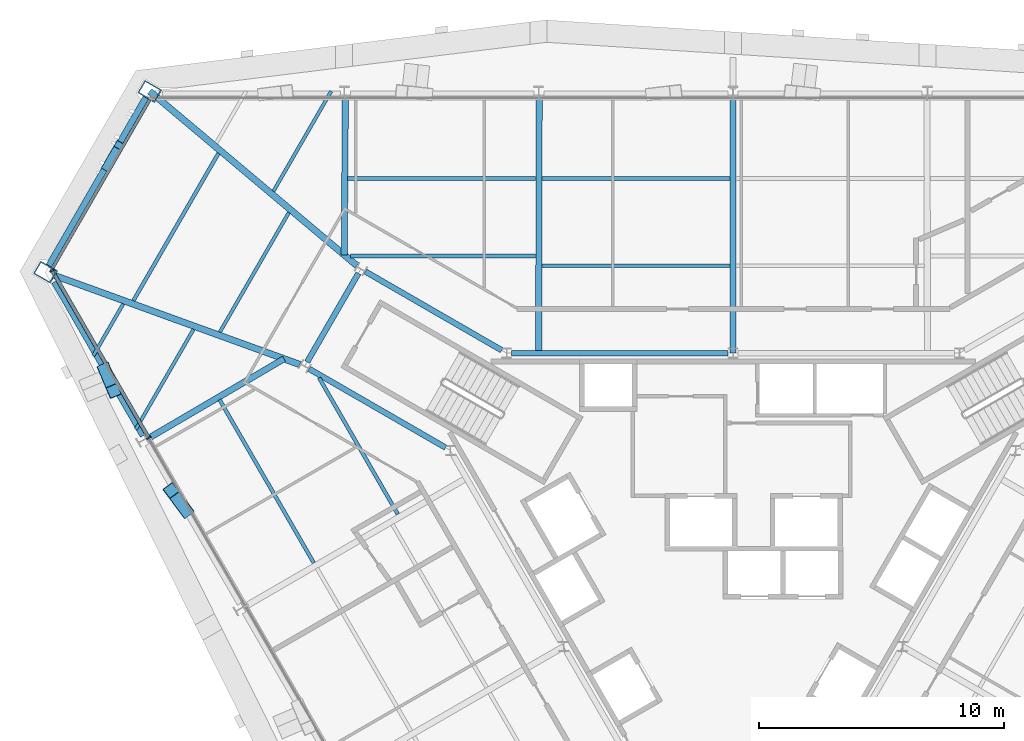
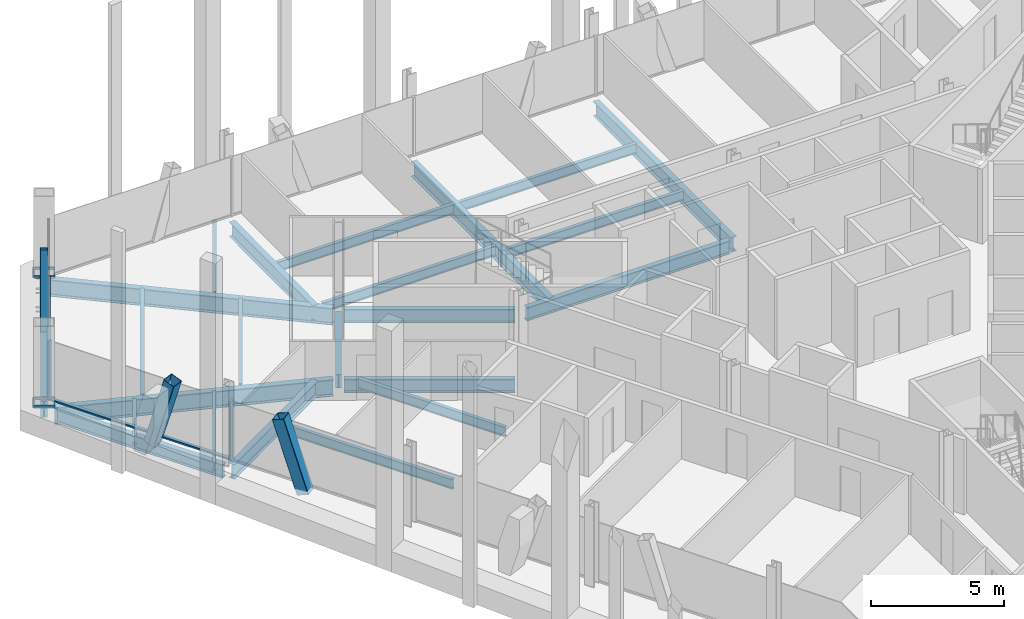
# One storey, part 6 of 15: 23 beams, 9 members, 2 elements without a shape of their own.
"""IFC4 building model written with IfcOpenShell, lengths in metres."""

from ifc_helpers import new_model, si_unit, direction, frame, origin, origin_2d, place, context, subcontext, project, spatial, rectangle, hollow_rectangle, i_section, extrude, material, material_profile, profile_set, type_object, element, aggregate, save


model = new_model("IFC4")

# Units and contexts
model_context = context("Model", 3, precision=1e-05, world=origin(), true_north=direction((0.0, 1.0)))
body_context = subcontext(model_context, "Body", "Model", "MODEL_VIEW")
ifc_project = project(units=[si_unit("LENGTHUNIT", "METRE"), si_unit("AREAUNIT", "SQUARE_METRE"), si_unit("VOLUMEUNIT", "CUBIC_METRE"), si_unit("PLANEANGLEUNIT", "RADIAN"), si_unit("MASSUNIT", "GRAM", prefix="KILO")], contexts=[model_context])

# Site, building, storey
site_placement = place(None, origin())
site = spatial("IfcSite", under=ifc_project, at=site_placement, CompositionType="ELEMENT")
building_placement = place(site_placement, origin())
building = spatial("IfcBuilding", under=site, at=building_placement, Name="Verrane Prism Tower", CompositionType="ELEMENT")
storey_placement = place(building_placement, frame((0.0, 0.0, 189.5)))
storey = spatial("IfcBuildingStorey", under=building, at=storey_placement, Name="L47", CompositionType="ELEMENT", Elevation=189.5)

# Member
ifc_material_1 = material(Name="Steel A500 Grade C", Category="steel")
ifc_material_profile_1 = material_profile(ifc_material_1, hollow_rectangle(XDim=0.3046875, YDim=0.3046875, WallThickness=0.0126953125, InnerFilletRadius=0.00634765625, OuterFilletRadius=0.01904296875, at=origin_2d()), Name="HSS12x12x1/2")
ifc_profile_set_1 = profile_set([ifc_material_profile_1], Name="Steel A500 Grade C")
member_type_1 = type_object("IfcMemberType", Name="Chamfer brace HSS12x12x1/2", PredefinedType="BRACE", material=ifc_profile_set_1)
member_1_placement = place(storey_placement, frame((-25.64111328125, 15.623046875, -0.24267578125), z_axis=(0.156499627931, 0.271375427269, 0.949664806093), x_axis=(-0.866272785837, 0.499571276714, 0.0)))
element("IfcMember", 1, at=member_1_placement, inside=storey, type_object=member_type_1, Name="Chamfer brace NW0 L47", PredefinedType="BRACE", context=body_context, shape_type="SweptSolid", body=[
    extrude(hollow_rectangle(XDim=0.3046875, YDim=0.3046875, WallThickness=0.0126953125, InnerFilletRadius=0.00634765625, OuterFilletRadius=0.01904296875, at=origin_2d()), origin(), (0.0, 0.0, 1.0), 3.27294921875),
])

# Beams
ifc_material_2 = material(Name="Steel A992", Category="steel")
ifc_material_profile_2 = material_profile(ifc_material_2, i_section(OverallWidth=0.2666015625, OverallDepth=0.7568359375, WebThickness=0.013916015625, FlangeThickness=0.019287109375, FilletRadius=0.0166015625, at=origin_2d()), Name="W30x108")
ifc_profile_set_2 = profile_set([ifc_material_profile_2], Name="Steel A992")
beam_type_1 = type_object("IfcBeamType", Name="Chamfer spandrel beam W30x108", PredefinedType="SPANDREL", material=ifc_profile_set_2)
beam_1_placement = place(storey_placement, frame((-24.010009765625, 18.4501953125, -0.53857421875), z_axis=(-0.499772118917, -0.86615693102, 0.0), x_axis=(0.86615693102, -0.499772118917, 0.0)))
element("IfcBeam", 2, at=beam_1_placement, inside=storey, type_object=beam_type_1, Name="Chamfer spandrel beam L47", PredefinedType="SPANDREL", context=body_context, shape_type="SweptSolid", body=[
    extrude(i_section(OverallWidth=0.2666015625, OverallDepth=0.7568359375, WebThickness=0.013916015625, FlangeThickness=0.019287109375, FilletRadius=0.0166015625, at=origin_2d()), origin(), (0.0, 0.0, 1.0), 7.943603515625),
])
ifc_material_3 = material(Name="Steel A992", Category="steel")
ifc_material_profile_3 = material_profile(ifc_material_3, i_section(OverallWidth=0.23046875, OverallDepth=0.6171875, WebThickness=0.01318359375, FlangeThickness=0.022216796875, FilletRadius=0.012939453125, at=origin_2d()), Name="W24x94")
ifc_profile_set_3 = profile_set([ifc_material_profile_3], Name="Steel A992")
beam_type_2 = type_object("IfcBeamType", Name="Core ring girder W24x94", PredefinedType="BEAM", material=ifc_profile_set_3)
beam_2_placement = place(storey_placement, frame((-0.20068359375, 8.0, -0.55859375), z_axis=(-1.0, 0.0, 0.0), x_axis=(0.0, -1.0, 0.0)))
element("IfcBeam", 3, at=beam_2_placement, inside=storey, type_object=beam_type_2, Name="Core ring girder L47", PredefinedType="BEAM", context=body_context, shape_type="SweptSolid", body=[
    extrude(i_section(OverallWidth=0.23046875, OverallDepth=0.6171875, WebThickness=0.01318359375, FlangeThickness=0.022216796875, FilletRadius=0.012939453125, at=origin_2d()), origin(), (0.0, 0.0, 1.0), 8.858642578125),
])
beam_3_placement = place(storey_placement, frame((-9.460693359375, 8.11572265625, -0.55859375), z_axis=(-0.866075143088, 0.499913839102, 0.0), x_axis=(-0.499913839102, -0.866075143088, 0.0)))
element("IfcBeam", 4, at=beam_3_placement, inside=storey, type_object=beam_type_2, Name="Core ring girder L47", PredefinedType="BEAM", context=body_context, shape_type="SweptSolid", body=[
    extrude(i_section(OverallWidth=0.23046875, OverallDepth=0.6171875, WebThickness=0.01318359375, FlangeThickness=0.022216796875, FilletRadius=0.012939453125, at=origin_2d()), origin(), (0.0, 0.0, 1.0), 6.441650390625),
])
beam_4_placement = place(storey_placement, frame((-15.32177734375, 11.26416015625, -0.55859375), z_axis=(-0.500305747711, -0.865848808284, 0.0), x_axis=(0.865848808284, -0.500305747711, 0.0)))
element("IfcBeam", 5, at=beam_4_placement, inside=storey, type_object=beam_type_2, Name="Core ring girder L47", PredefinedType="BEAM", context=body_context, shape_type="SweptSolid", body=[
    extrude(i_section(OverallWidth=0.23046875, OverallDepth=0.6171875, WebThickness=0.01318359375, FlangeThickness=0.022216796875, FilletRadius=0.012939453125, at=origin_2d()), origin(), (0.0, 0.0, 1.0), 4.1904296875),
])
beam_5_placement = place(storey_placement, frame((-17.339599609375, 7.35595703125, -0.55859375), z_axis=(0.866075143088, -0.499913839102, 0.0), x_axis=(0.499913839102, 0.866075143088, 0.0)))
element("IfcBeam", 6, at=beam_5_placement, inside=storey, type_object=beam_type_2, Name="Core ring girder L47", PredefinedType="BEAM", context=body_context, shape_type="SweptSolid", body=[
    extrude(i_section(OverallWidth=0.23046875, OverallDepth=0.6171875, WebThickness=0.01318359375, FlangeThickness=0.022216796875, FilletRadius=0.012939453125, at=origin_2d()), origin(), (0.0, 0.0, 1.0), 6.441650390625),
])
ifc_material_4 = material(Name="Steel A992", Category="steel")
ifc_material_profile_4 = material_profile(ifc_material_4, i_section(OverallWidth=0.2666015625, OverallDepth=0.76708984375, WebThickness=0.014892578125, FlangeThickness=0.023681640625, FilletRadius=0.0166015625, at=origin_2d()), Name="W30x124")
ifc_profile_set_4 = profile_set([ifc_material_profile_4], Name="Steel A992")
beam_type_3 = type_object("IfcBeamType", Name="Corner girder W30x124", PredefinedType="BEAM", material=ifc_profile_set_4)
beam_6_placement = place(storey_placement, frame((-23.85791015625, 18.7080078125, -0.603515625), z_axis=(0.765174039001, -0.643823492923, 0.0), x_axis=(0.643823492923, 0.765174039001, 0.0)))
element("IfcBeam", 7, at=beam_6_placement, inside=storey, type_object=beam_type_3, Name="Corner girder L47", PredefinedType="BEAM", context=body_context, shape_type="SweptSolid", body=[
    extrude(i_section(OverallWidth=0.2666015625, OverallDepth=0.76708984375, WebThickness=0.014892578125, FlangeThickness=0.023681640625, FilletRadius=0.0166015625, at=origin_2d()), origin(), (0.0, 0.0, 1.0), 11.077392578125),
])
beam_7_placement = place(storey_placement, frame((-27.747314453125, 11.171142578125, -0.603515625), z_axis=(0.940029060961, -0.341094363114, 0.0), x_axis=(0.341094363114, 0.940029060961, 0.0)))
element("IfcBeam", 8, at=beam_7_placement, inside=storey, type_object=beam_type_3, Name="Corner girder L47", PredefinedType="BEAM", context=body_context, shape_type="SweptSolid", body=[
    extrude(i_section(OverallWidth=0.2666015625, OverallDepth=0.76708984375, WebThickness=0.014892578125, FlangeThickness=0.023681640625, FilletRadius=0.0166015625, at=origin_2d()), origin(), (0.0, 0.0, 1.0), 10.66845703125),
])

# Members
ifc_material_5 = material(Name="Steel A500 Grade C", Category="steel")
ifc_material_profile_5 = material_profile(ifc_material_5, hollow_rectangle(XDim=0.508056640625, YDim=0.508056640625, WallThickness=0.01904296875, InnerFilletRadius=0.009521484375, OuterFilletRadius=0.028564453125, at=origin_2d()), Name="HSS20x20x3/4")
ifc_profile_set_5 = profile_set([ifc_material_profile_5], Name="Steel A500 Grade C")
member_type_2 = type_object("IfcMemberType", Name="Facade brace HSS20x20x3/4", PredefinedType="BRACE", material=ifc_profile_set_5)
member_2_placement = place(storey_placement, frame((-25.69677734375, 7.3203125, -0.216796875), z_axis=(0.109755373664, -0.260467525617, 0.959223866493), x_axis=(0.921527992194, 0.388311935951, 0.0)))
element("IfcMember", 9, at=member_2_placement, inside=storey, type_object=member_type_2, Name="Facade brace SW0 L47", PredefinedType="BRACE", context=body_context, shape_type="SweptSolid", body=[
    extrude(hollow_rectangle(XDim=0.508056640625, YDim=0.508056640625, WallThickness=0.01904296875, InnerFilletRadius=0.009521484375, OuterFilletRadius=0.028564453125, at=origin_2d()), origin(), (0.0, 0.0, 1.0), 3.332275390625),
])
member_3_placement = place(storey_placement, frame((-22.376220703125, 1.564453125, -0.216796875), z_axis=(-0.180853734479, 0.243806845274, 0.952811706961), x_axis=(-0.803153536713, -0.595772101114, 0.0)))
element("IfcMember", 10, at=member_3_placement, inside=storey, type_object=member_type_2, Name="Facade brace SW1 L47", PredefinedType="BRACE", context=body_context, shape_type="SweptSolid", body=[
    extrude(hollow_rectangle(XDim=0.508056640625, YDim=0.508056640625, WallThickness=0.01904296875, InnerFilletRadius=0.009521484375, OuterFilletRadius=0.028564453125, at=origin_2d()), origin(), (0.0, 0.0, 1.0), 3.3544921875),
])

# Beams
ifc_material_6 = material(Name="Steel A992", Category="steel")
ifc_material_profile_6 = material_profile(ifc_material_6, i_section(OverallWidth=0.140380859375, OverallDepth=0.40380859375, WebThickness=0.007080078125, FlangeThickness=0.01123046875, FilletRadius=0.01025390625, at=origin_2d()), Name="W16x31")
ifc_profile_set_6 = profile_set([ifc_material_profile_6], Name="Steel A992")
beam_type_4 = type_object("IfcBeamType", Name="Floor beam W16x31", PredefinedType="BEAM", material=ifc_profile_set_6)
beam_8_placement = place(storey_placement, frame((-18.79638671875, 14.622314453125, -0.36181640625), z_axis=(0.500016465344, 0.866015897305, 0.0), x_axis=(-0.866015897305, 0.500016465344, 0.0)))
element("IfcBeam", 11, at=beam_8_placement, inside=storey, type_object=beam_type_4, Name="Floor beam L47", PredefinedType="BEAM", context=body_context, shape_type="SweptSolid", body=[
    extrude(i_section(OverallWidth=0.140380859375, OverallDepth=0.40380859375, WebThickness=0.007080078125, FlangeThickness=0.01123046875, FilletRadius=0.01025390625, at=origin_2d()), origin(), (0.0, 0.0, 1.0), 4.719970703125),
])
beam_9_placement = place(storey_placement, frame((-24.4267578125, 4.8828125, -0.36181640625), z_axis=(0.500010462885, 0.866019362951, 0.0), x_axis=(-0.866019362951, 0.500010462885, 0.0)))
element("IfcBeam", 12, at=beam_9_placement, inside=storey, type_object=beam_type_4, Name="Floor beam L47", PredefinedType="BEAM", context=body_context, shape_type="SweptSolid", body=[
    extrude(i_section(OverallWidth=0.140380859375, OverallDepth=0.40380859375, WebThickness=0.007080078125, FlangeThickness=0.01123046875, FilletRadius=0.01025390625, at=origin_2d()), origin(), (0.0, 0.0, 1.0), 4.720703125),
])
beam_10_placement = place(storey_placement, frame((-26.1630859375, 7.896240234375, -0.36181640625), z_axis=(0.49999629246, 0.866027544323, 0.0), x_axis=(-0.866027544323, 0.49999629246, 0.0)))
element("IfcBeam", 13, at=beam_10_placement, inside=storey, type_object=beam_type_4, Name="Floor beam L47", PredefinedType="BEAM", context=body_context, shape_type="SweptSolid", body=[
    extrude(i_section(OverallWidth=0.140380859375, OverallDepth=0.40380859375, WebThickness=0.007080078125, FlangeThickness=0.01123046875, FilletRadius=0.01025390625, at=origin_2d()), origin(), (0.0, 0.0, 1.0), 2.44384765625),
])
beam_11_placement = place(storey_placement, frame((-20.986572265625, 8.86376953125, -0.36181640625), z_axis=(0.500001171754, 0.866024727271, 0.0), x_axis=(-0.866024727271, 0.500001171754, 0.0)))
element("IfcBeam", 14, at=beam_11_placement, inside=storey, type_object=beam_type_4, Name="Floor beam L47", PredefinedType="BEAM", context=body_context, shape_type="SweptSolid", body=[
    extrude(i_section(OverallWidth=0.140380859375, OverallDepth=0.40380859375, WebThickness=0.007080078125, FlangeThickness=0.01123046875, FilletRadius=0.01025390625, at=origin_2d()), origin(), (0.0, 0.0, 1.0), 5.63623046875),
])
ifc_material_7 = material(Name="Steel A992", Category="steel")
ifc_material_profile_7 = material_profile(ifc_material_7, i_section(OverallWidth=0.15234375, OverallDepth=0.449462890625, WebThickness=0.007568359375, FlangeThickness=0.0107421875, FilletRadius=0.01025390625, at=origin_2d()), Name="W18x35")
ifc_profile_set_7 = profile_set([ifc_material_profile_7], Name="Steel A992")
beam_type_5 = type_object("IfcBeamType", Name="Floor beam W18x35", PredefinedType="BEAM", material=ifc_profile_set_7)
for number, where, z_axis, x_axis, name in (
    (15, (-7.822998046875, 11.570068359375, -0.384765625), (1.0, 0.0, 0.0), (0.0, 1.0, 0.0), "Floor beam L47"),
    (16, (-7.822998046875, 15.139892578125, -0.384765625), (1.0, 0.0, 0.0), (0.0, 1.0, 0.0), "Floor beam L47"),
):
    element("IfcBeam", number, at=place(storey_placement, frame(where, z_axis=z_axis, x_axis=x_axis)), inside=storey, type_object=beam_type_5, Name=name, PredefinedType="BEAM", context=body_context, shape_type="SweptSolid", body=[
        extrude(i_section(OverallWidth=0.15234375, OverallDepth=0.449462890625, WebThickness=0.007568359375, FlangeThickness=0.0107421875, FilletRadius=0.01025390625, at=origin_2d()), origin(), (0.0, 0.0, 1.0), 7.696044921875),
    ])
beam_12_placement = place(storey_placement, frame((-15.64501953125, 11.969970703125, -0.384765625), z_axis=(1.0, 0.0, 0.0), x_axis=(0.0, 1.0, 0.0)))
element("IfcBeam", 17, at=beam_12_placement, inside=storey, type_object=beam_type_5, Name="Floor beam L47", PredefinedType="BEAM", context=body_context, shape_type="SweptSolid", body=[
    extrude(i_section(OverallWidth=0.15234375, OverallDepth=0.449462890625, WebThickness=0.007568359375, FlangeThickness=0.0107421875, FilletRadius=0.01025390625, at=origin_2d()), origin(), (0.0, 0.0, 1.0), 7.568115234375),
])
beam_13_placement = place(storey_placement, frame((-15.77294921875, 15.139892578125, -0.384765625), z_axis=(1.0, 0.0, 0.0), x_axis=(0.0, 1.0, 0.0)))
element("IfcBeam", 18, at=beam_13_placement, inside=storey, type_object=beam_type_5, Name="Floor beam L47", PredefinedType="BEAM", context=body_context, shape_type="SweptSolid", body=[
    extrude(i_section(OverallWidth=0.15234375, OverallDepth=0.449462890625, WebThickness=0.007568359375, FlangeThickness=0.0107421875, FilletRadius=0.01025390625, at=origin_2d()), origin(), (0.0, 0.0, 1.0), 7.696044921875),
])
beam_14_placement = place(storey_placement, frame((-13.7109375, 1.4130859375, -0.384765625), z_axis=(-0.499999433879, 0.866025730634, 0.0), x_axis=(-0.866025730634, -0.499999433879, 0.0)))
element("IfcBeam", 19, at=beam_14_placement, inside=storey, type_object=beam_type_5, Name="Floor beam L47", PredefinedType="BEAM", context=body_context, shape_type="SweptSolid", body=[
    extrude(i_section(OverallWidth=0.15234375, OverallDepth=0.449462890625, WebThickness=0.007568359375, FlangeThickness=0.0107421875, FilletRadius=0.01025390625, at=origin_2d()), origin(), (0.0, 0.0, 1.0), 6.4345703125),
])
beam_15_placement = place(storey_placement, frame((-17.151123046875, -0.573974609375, -0.384765625), z_axis=(-0.50001143954, 0.866018799062, 0.0), x_axis=(-0.866018799062, -0.50001143954, 0.0)))
element("IfcBeam", 20, at=beam_15_placement, inside=storey, type_object=beam_type_5, Name="Floor beam L47", PredefinedType="BEAM", context=body_context, shape_type="SweptSolid", body=[
    extrude(i_section(OverallWidth=0.15234375, OverallDepth=0.449462890625, WebThickness=0.007568359375, FlangeThickness=0.0107421875, FilletRadius=0.01025390625, at=origin_2d()), origin(), (0.0, 0.0, 1.0), 7.702880859375),
])
beam_16_placement = place(storey_placement, frame((-24.525390625, 10.14599609375, -0.384765625), z_axis=(0.500009115389, 0.866020140948, 0.0), x_axis=(-0.866020140948, 0.500009115389, 0.0)))
element("IfcBeam", 21, at=beam_16_placement, inside=storey, type_object=beam_type_5, Name="Floor beam L47", PredefinedType="BEAM", context=body_context, shape_type="SweptSolid", body=[
    extrude(i_section(OverallWidth=0.15234375, OverallDepth=0.449462890625, WebThickness=0.007568359375, FlangeThickness=0.0107421875, FilletRadius=0.01025390625, at=origin_2d()), origin(), (0.0, 0.0, 1.0), 6.954345703125),
])

# Members
ifc_material_8 = material(Name="Steel A572 Grade 50", Category="steel")
ifc_material_profile_8 = material_profile(ifc_material_8, hollow_rectangle(XDim=0.60009765625, YDim=0.800048828125, WallThickness=0.050048828125, at=origin_2d()), Name="BOX 800x600x50")
ifc_profile_set_8 = profile_set([ifc_material_profile_8], Name="Steel A572 Grade 50")
member_type_3 = type_object("IfcMemberType", Name="Kink node BOX 800x600x50", PredefinedType="COLLAR", material=ifc_profile_set_8)
for number, where, z_axis, x_axis, name in (
    (22, (-23.8564453125, 18.703857421875, -0.06494140625), (0.0, 0.0, 1.0), (0.5, 0.866025403784, 0.0), "Kink node MC4 L47"),
    (23, (-28.122802734375, 11.31005859375, -0.06494140625), (0.0, 0.0, 1.0), (0.5, 0.866025403784, 0.0), "Kink node MC4 L47"),
):
    element("IfcMember", number, at=place(storey_placement, frame(where, z_axis=z_axis, x_axis=x_axis)), inside=storey, type_object=member_type_3, Name=name, PredefinedType="COLLAR", context=body_context, shape_type="SweptSolid", body=[
        extrude(hollow_rectangle(XDim=0.60009765625, YDim=0.800048828125, WallThickness=0.050048828125, at=origin_2d()), origin(), (0.0, 0.0, 1.0), 0.1298828125),
    ])

# Curtain wall, members
ifc_material_9 = material(Name="Aluminium framed insulated glazing", Category="aluminium")
curtain_wall_type_1 = type_object("IfcCurtainWallType", Name="Curtain wall CW-A 8400 module", PredefinedType="NOTDEFINED", material=ifc_material_9)
curtain_wall_1_placement = place(storey_placement, origin())
curtain_wall_1 = element("IfcCurtainWall", 24, at=curtain_wall_1_placement, inside=storey, type_object=curtain_wall_type_1, Name="Glazed curtain wall south-west face L47", PredefinedType="NOTDEFINED")
ifc_material_10 = material(Name="Aluminium alloy 6063-T6", Category="aluminium")
ifc_material_profile_9 = material_profile(ifc_material_10, rectangle(XDim=0.199951171875, YDim=0.070068359375, at=origin_2d()), Name="Mullion 70x200 aluminium")
ifc_profile_set_9 = profile_set([ifc_material_profile_9], Name="Aluminium alloy 6063-T6")
member_type_4 = type_object("IfcMemberType", Name="Mullion 70x200 aluminium", PredefinedType="MULLION", material=ifc_profile_set_9)
member_4_placement = place(storey_placement, frame((-27.8505859375, 11.376708984375, 0.0), z_axis=(0.0, 0.0, 1.0), x_axis=(0.866025652206, 0.499999569721, 0.0)))
member_4 = element("IfcMember", 25, at=member_4_placement, type_object=member_type_4, Name="CW47.4 mullion 1", PredefinedType="MULLION", context=body_context, shape_type="SweptSolid", body=[
    extrude(rectangle(XDim=0.199951171875, YDim=0.070068359375, at=origin_2d()), origin(), (0.0, 0.0, 1.0), 2.712890625),
])
member_5_placement = place(storey_placement, frame((-23.8994140625, 4.532958984375, 0.0), z_axis=(0.0, 0.0, 1.0), x_axis=(0.866025652206, 0.499999569721, 0.0)))
member_5 = element("IfcMember", 26, at=member_5_placement, type_object=member_type_4, Name="CW47.4 mullion 2", PredefinedType="MULLION", context=body_context, shape_type="SweptSolid", body=[
    extrude(rectangle(XDim=0.199951171875, YDim=0.070068359375, at=origin_2d()), origin(), (0.0, 0.0, 1.0), 2.712890625),
])

# Beams
ifc_material_11 = material(Name="Steel A992", Category="steel")
ifc_material_profile_10 = material_profile(ifc_material_11, i_section(OverallWidth=0.25390625, OverallDepth=0.683349609375, WebThickness=0.012451171875, FlangeThickness=0.01904296875, FilletRadius=0.01513671875, at=origin_2d()), Name="W27x94")
ifc_profile_set_10 = profile_set([ifc_material_profile_10], Name="Steel A992")
beam_type_6 = type_object("IfcBeamType", Name="Radial girder W27x94", PredefinedType="BEAM", material=ifc_profile_set_10)
for number, where, z_axis, x_axis, name in (
    (27, (0.0, 18.38623046875, -0.5615234375), (0.0, -1.0, 0.0), (1.0, 0.0, 0.0), "Radial girder L47"),
    (28, (-7.928955078125, 18.38623046875, -0.5615234375), (-0.002021527532, -0.999997956711, 0.0), (0.999997956711, -0.002021527532, 0.0), "Radial girder L47"),
):
    element("IfcBeam", number, at=place(storey_placement, frame(where, z_axis=z_axis, x_axis=x_axis)), inside=storey, type_object=beam_type_6, Name=name, PredefinedType="BEAM", context=body_context, shape_type="SweptSolid", body=[
        extrude(i_section(OverallWidth=0.25390625, OverallDepth=0.683349609375, WebThickness=0.012451171875, FlangeThickness=0.01904296875, FilletRadius=0.01513671875, at=origin_2d()), origin(), (0.0, 0.0, 1.0), 10.38623046875),
    ])
beam_17_placement = place(storey_placement, frame((-15.85693359375, 18.38623046875, -0.5615234375), z_axis=(-0.006741075573, -0.999977278692, 0.0), x_axis=(0.999977278692, -0.006741075573, 0.0)))
element("IfcBeam", 29, at=beam_17_placement, inside=storey, type_object=beam_type_6, Name="Radial girder L47", PredefinedType="BEAM", context=body_context, shape_type="SweptSolid", body=[
    extrude(i_section(OverallWidth=0.25390625, OverallDepth=0.683349609375, WebThickness=0.012451171875, FlangeThickness=0.01904296875, FilletRadius=0.01513671875, at=origin_2d()), origin(), (0.0, 0.0, 1.0), 6.374267578125),
])
beam_18_placement = place(storey_placement, frame((-23.856689453125, 4.545166015625, -0.5615234375), z_axis=(0.862605664838, 0.505876928699, 0.0), x_axis=(-0.505876928699, 0.862605664838, 0.0)))
element("IfcBeam", 30, at=beam_18_placement, inside=storey, type_object=beam_type_6, Name="Radial girder L47", PredefinedType="BEAM", context=body_context, shape_type="SweptSolid", body=[
    extrude(i_section(OverallWidth=0.25390625, OverallDepth=0.683349609375, WebThickness=0.012451171875, FlangeThickness=0.01904296875, FilletRadius=0.01513671875, at=origin_2d()), origin(), (0.0, 0.0, 1.0), 6.367431640625),
])
ifc_material_12 = material(Name="Steel A992", Category="steel")
ifc_material_profile_11 = material_profile(ifc_material_12, i_section(OverallWidth=0.23046875, OverallDepth=0.6171875, WebThickness=0.01318359375, FlangeThickness=0.022216796875, FilletRadius=0.012939453125, at=origin_2d()), Name="W24x94")
ifc_profile_set_11 = profile_set([ifc_material_profile_11], Name="Steel A992")
beam_type_7 = type_object("IfcBeamType", Name="Spandrel beam W24x94", PredefinedType="SPANDREL", material=ifc_profile_set_11)
beam_19_placement = place(storey_placement, frame((-27.765625, 10.90966796875, -0.468505859375), z_axis=(0.499392693065, -0.866375748803, 0.0), x_axis=(0.866375748803, 0.499392693065, 0.0)))
element("IfcBeam", 31, at=beam_19_placement, inside=storey, type_object=beam_type_7, Name="Spandrel beam L47", PredefinedType="SPANDREL", context=body_context, shape_type="SweptSolid", body=[
    extrude(i_section(OverallWidth=0.23046875, OverallDepth=0.6171875, WebThickness=0.01318359375, FlangeThickness=0.022216796875, FilletRadius=0.012939453125, at=origin_2d()), origin(), (0.0, 0.0, 1.0), 7.2646484375),
])

# Curtain wall, member
ifc_material_13 = material(Name="Aluminium framed insulated glazing", Category="aluminium")
curtain_wall_type_2 = type_object("IfcCurtainWallType", Name="Curtain wall CW-B 5600 module", PredefinedType="NOTDEFINED", material=ifc_material_13)
curtain_wall_2_placement = place(storey_placement, origin())
curtain_wall_2 = element("IfcCurtainWall", 32, at=curtain_wall_2_placement, inside=storey, type_object=curtain_wall_type_2, Name="Glazed curtain wall north-west corner L47", PredefinedType="NOTDEFINED")
ifc_material_14 = material(Name="Aluminium alloy 6063-T6", Category="aluminium")
ifc_material_profile_12 = material_profile(ifc_material_14, rectangle(XDim=0.1201171875, YDim=0.06005859375, at=origin_2d()), Name="Transom 60x120 aluminium")
ifc_profile_set_12 = profile_set([ifc_material_profile_12], Name="Aluminium alloy 6063-T6")
member_type_5 = type_object("IfcMemberType", Name="Transom 60x120 aluminium", PredefinedType="USERDEFINED", material=ifc_profile_set_12)
member_6_placement = place(storey_placement, frame((-23.843017578125, 18.379150390625, 0.030029296875), z_axis=(-0.499977961001, -0.866038127632, 0.0), x_axis=(0.866038127632, -0.499977961001, 0.0)))
member_6 = element("IfcMember", 33, at=member_6_placement, type_object=member_type_5, Name="CW47.3 transom 1", ObjectType="TRANSOM", PredefinedType="USERDEFINED", context=body_context, shape_type="SweptSolid", body=[
    extrude(rectangle(XDim=0.1201171875, YDim=0.06005859375, at=origin_2d()), origin(), (0.0, 0.0, 1.0), 8.050537109375),
])
aggregate(curtain_wall_2, [member_6])

# Member
ifc_material_15 = material(Name="Aluminium alloy 6063-T6", Category="aluminium")
ifc_material_profile_13 = material_profile(ifc_material_15, rectangle(XDim=0.14990234375, YDim=0.070068359375, at=origin_2d()), Name="Transom 70x150 aluminium")
ifc_profile_set_13 = profile_set([ifc_material_profile_13], Name="Aluminium alloy 6063-T6")
member_type_6 = type_object("IfcMemberType", Name="Transom 70x150 aluminium", PredefinedType="USERDEFINED", material=ifc_profile_set_13)
member_7_placement = place(storey_placement, frame((-27.833251953125, 11.346435546875, 0.034912109375), z_axis=(0.499997665074, -0.86602675185, 0.0), x_axis=(0.86602675185, 0.499997665074, 0.0)))
member_7 = element("IfcMember", 34, at=member_7_placement, type_object=member_type_6, Name="CW47.4 transom 1", ObjectType="TRANSOM", PredefinedType="USERDEFINED", context=body_context, shape_type="SweptSolid", body=[
    extrude(rectangle(XDim=0.14990234375, YDim=0.070068359375, at=origin_2d()), origin(), (0.0, 0.0, 1.0), 7.83251953125),
])

aggregate(curtain_wall_1, [member_4, member_5, member_7])

save(model, "model.ifc")
